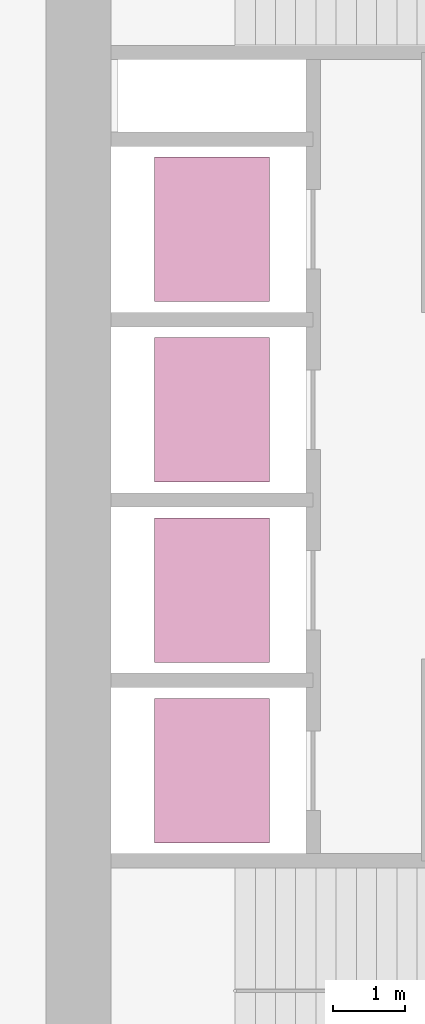
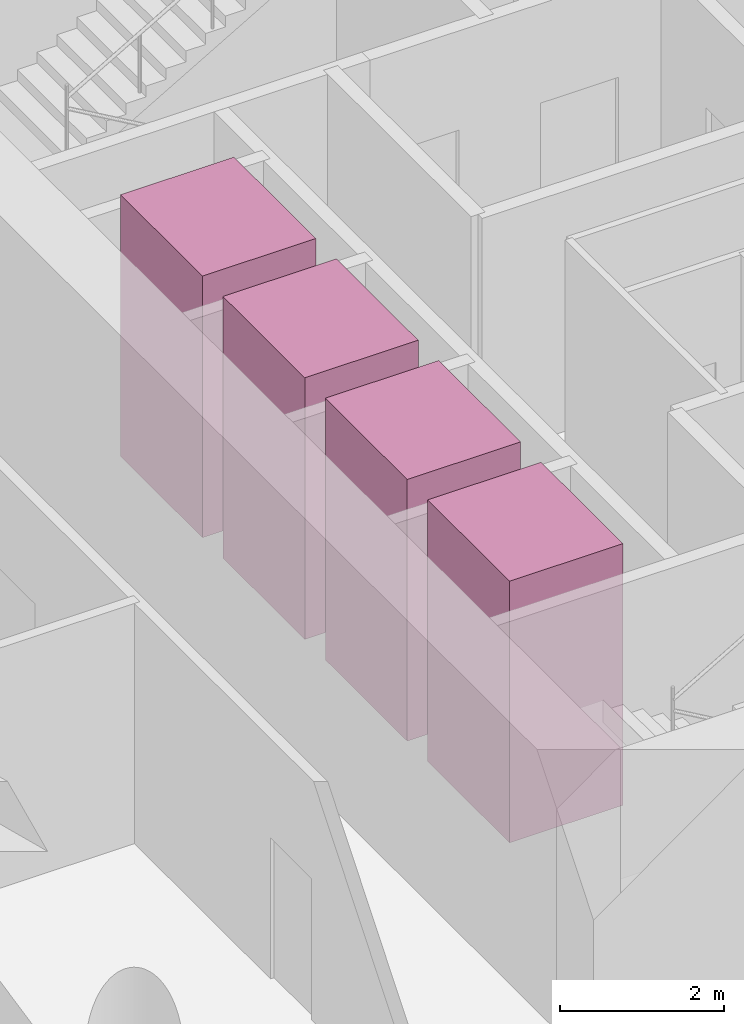
# One storey, part 10 of 10: 4 transport elements.
"""IFC4 building model written with IfcOpenShell, lengths in metres."""

from ifc_helpers import new_model, si_unit, direction, frame, origin, origin_2d, place, context, subcontext, project, spatial, rectangle, extrude, material, type_object, element, save


model = new_model("IFC4")

# Units and contexts
model_context = context("Model", 3, precision=1e-05, world=origin(), true_north=direction((0.0, 1.0)))
body_context = subcontext(model_context, "Body", "Model", "MODEL_VIEW")
ifc_project = project(units=[si_unit("LENGTHUNIT", "METRE"), si_unit("AREAUNIT", "SQUARE_METRE"), si_unit("VOLUMEUNIT", "CUBIC_METRE"), si_unit("PLANEANGLEUNIT", "RADIAN"), si_unit("MASSUNIT", "GRAM", prefix="KILO")], contexts=[model_context])

# Site, building, storey
site_placement = place(None, origin())
site = spatial("IfcSite", under=ifc_project, at=site_placement, CompositionType="ELEMENT")
building_placement = place(site_placement, origin())
building = spatial("IfcBuilding", under=site, at=building_placement, Name="Qaws Garden Tower", CompositionType="ELEMENT")
storey_placement = place(building_placement, frame((0.0, 0.0, 51.0)))
storey = spatial("IfcBuildingStorey", under=building, at=storey_placement, Name="L12", CompositionType="ELEMENT", Elevation=51.0)

# Transport elements
ifc_material = material(Name="Stainless steel 316", Category="steel")
transport_element_type = type_object("IfcTransportElementType", Name="Passenger lift car 2000x1600 1800 kg", PredefinedType="ELEVATOR", material=ifc_material)
for number, where, z_axis, x_axis, name in (
    (1, (10.300048828125, 13.64990234375, 0.0), (0.0, 0.0, 1.0), (1.0, 0.0, 0.0), "LR1"),
    (2, (10.300048828125, 16.14990234375, 0.0), (0.0, 0.0, 1.0), (1.0, 0.0, 0.0), "LR2"),
    (3, (10.300048828125, 18.64990234375, 0.0), (0.0, 0.0, 1.0), (1.0, 0.0, 0.0), "LR3"),
    (4, (10.300048828125, 21.14990234375, 0.0), (0.0, 0.0, 1.0), (1.0, 0.0, 0.0), "LR4"),
):
    element("IfcTransportElement", number, at=place(storey_placement, frame(where, z_axis=z_axis, x_axis=x_axis)), inside=storey, type_object=transport_element_type, Name=name, PredefinedType="ELEVATOR", context=body_context, shape_type="SweptSolid", body=[
        extrude(rectangle(XDim=1.60009765625, YDim=2.0, at=origin_2d()), origin(), (0.0, 0.0, 1.0), 3.89990234375),
    ])

save(model, "model.ifc")
